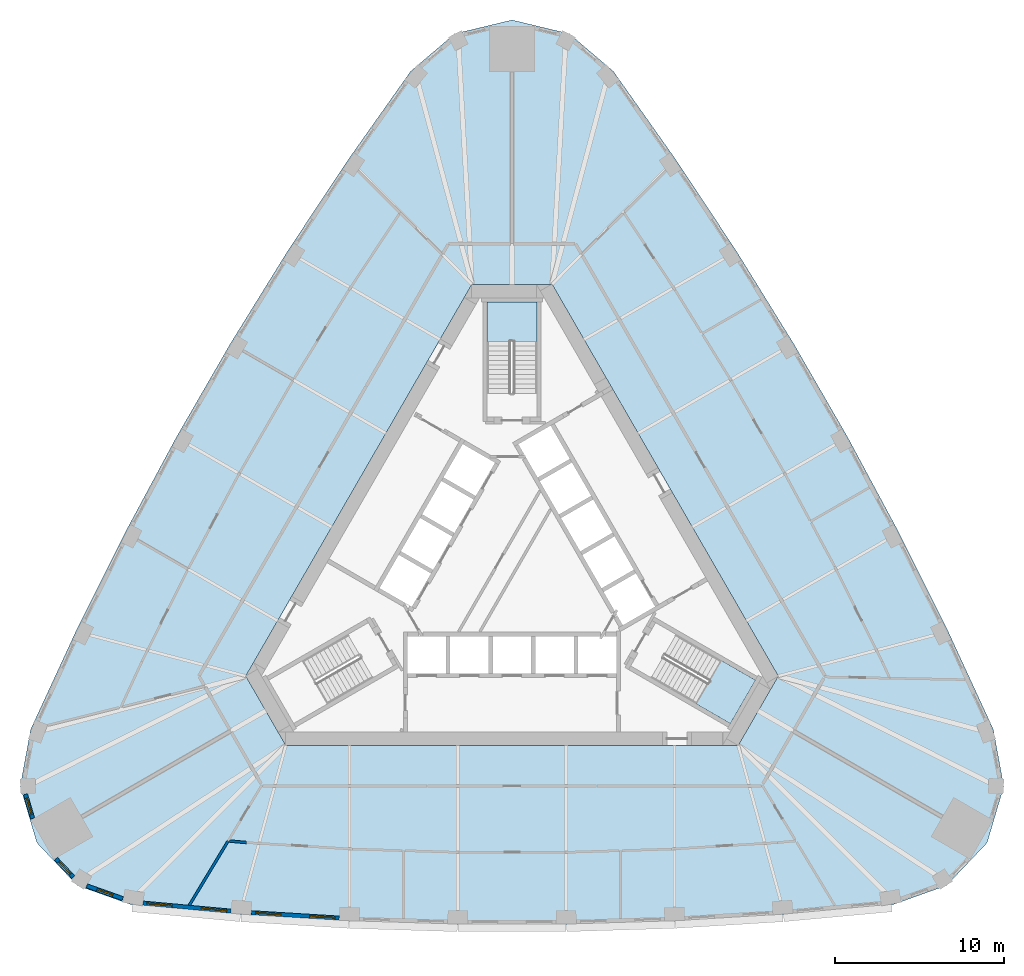
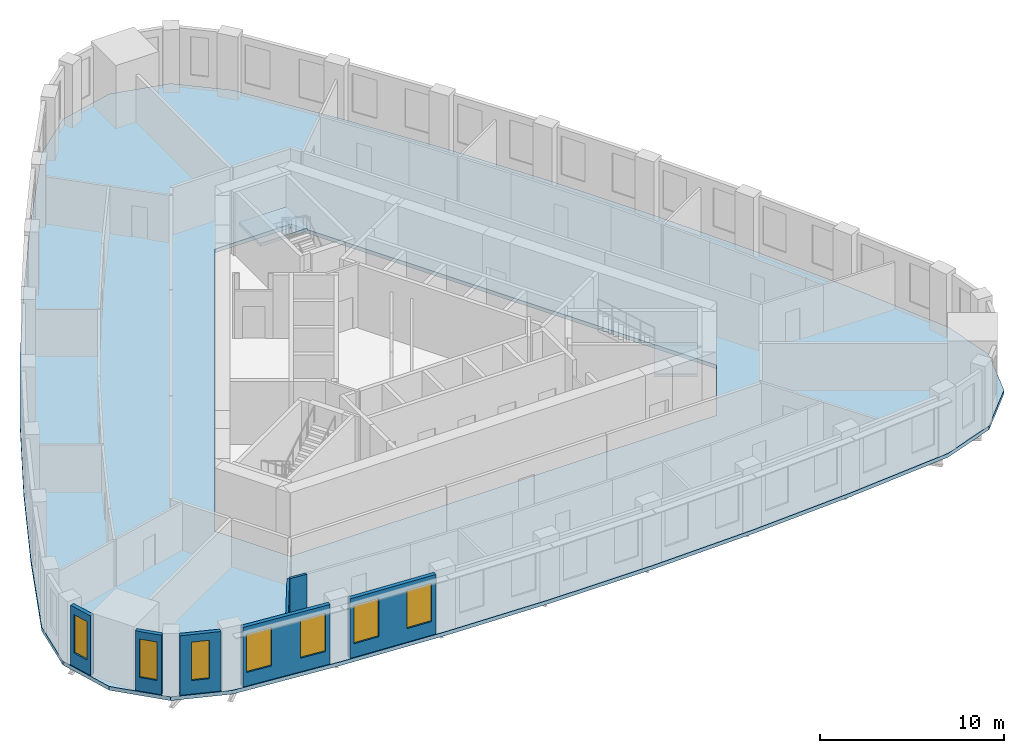
# One storey, part 2 of 10: 7 walls, 7 windows, 3 slabs, 7 openings, 2 elements without a shape of their own.
"""IFC4 building model written with IfcOpenShell, lengths in metres."""

from ifc_helpers import new_model, si_unit, direction, frame, frame_2d, origin, place, context, subcontext, project, spatial, polyline, rectangle, outline, extrude, material, layer, layer_set, type_object, element, fill, aggregate, save


model = new_model("IFC4")

# Units and contexts
model_context = context("Model", 3, precision=1e-05, world=origin(), true_north=direction((0.0, 1.0)))
body_context = subcontext(model_context, "Body", "Model", "MODEL_VIEW")
ifc_project = project(units=[si_unit("LENGTHUNIT", "METRE"), si_unit("AREAUNIT", "SQUARE_METRE"), si_unit("VOLUMEUNIT", "CUBIC_METRE"), si_unit("PLANEANGLEUNIT", "RADIAN"), si_unit("MASSUNIT", "GRAM", prefix="KILO")], contexts=[model_context])

# Site, building, storey
site_placement = place(None, origin())
site = spatial("IfcSite", under=ifc_project, at=site_placement, CompositionType="ELEMENT")
building_placement = place(site_placement, origin())
building = spatial("IfcBuilding", under=site, at=building_placement, Name="Mestral Congress Tower", CompositionType="ELEMENT")
storey_placement = place(building_placement, frame((0.0, 0.0, 141.60009765625)))
storey = spatial("IfcBuildingStorey", under=building, at=storey_placement, Name="L33", CompositionType="ELEMENT", Elevation=141.60009765625)

# Slab
ifc_material_1 = material(Name="Concrete C35/45", Category="concrete")
ifc_layer_1 = layer(ifc_material_1, 0.25)
ifc_layer_set_1 = layer_set([ifc_layer_1], Name="Concrete C35/45")
slab_type_1 = type_object("IfcSlabType", Name="Composite floor slab 250", PredefinedType="FLOOR", material=ifc_layer_set_1)
slab_1_placement = place(storey_placement, frame((0.0, 0.0, -0.25)))
element("IfcSlab", 1, at=slab_1_placement, inside=storey, type_object=slab_type_1, Name="SL-L33", PredefinedType="FLOOR", context=body_context, shape_type="SweptSolid", body=[
    extrude(outline(polyline([(-22.455078125, -19.880126953125), (-25.68212890625, -18.731689453125), (-28.073974609375, -16.20849609375), (-29.06298828125, -12.87548828125), (-28.444091796875, -9.506591796875), (-25.73779296875, -3.63720703125), (-22.8759765625, 2.1025390625), (-19.84033203125, 7.751953125), (-16.633544921875, 13.30615234375), (-13.2587890625, 18.760009765625), (-9.71923828125, 24.1083984375), (-5.9892578125, 29.38671875), (-3.381103515625, 31.607177734375), (0.0, 32.4169921875), (3.381103515625, 31.607177734375), (5.9892578125, 29.38671875), (9.71923828125, 24.1083984375), (13.2587890625, 18.760009765625), (16.633544921875, 13.30615234375), (19.84033203125, 7.751953125), (22.8759765625, 2.1025390625), (25.73779296875, -3.63720703125), (28.444091796875, -9.506591796875), (29.06298828125, -12.87548828125), (28.073974609375, -16.20849609375), (25.68212890625, -18.731689453125), (22.455078125, -19.880126953125), (16.018798828125, -20.47119140625), (9.6171875, -20.862548828125), (3.206787109375, -21.05810546875), (-3.206787109375, -21.05810546875), (-9.6171875, -20.862548828125), (-16.018798828125, -20.47119140625), (-22.455078125, -19.880126953125)]), holes=[polyline([(-2.3671875, 16.800048828125), (-15.73291015625, -6.35009765625), (-13.36572265625, -10.449951171875), (13.36572265625, -10.449951171875), (15.73291015625, -6.35009765625), (2.3671875, 16.800048828125), (-2.3671875, 16.800048828125)])]), origin(), (0.0, 0.0, 1.0), 0.25),
])

# Stair, slab
ifc_material_2 = material(Name="Concrete C60/75", Category="concrete")
stair_type = type_object("IfcStairType", Name="Exit stair 1400", PredefinedType="HALF_TURN_STAIR", material=ifc_material_2)
placement_1 = place(storey_placement, origin())
stair_1 = element("IfcStair", 2, at=placement_1, inside=storey, type_object=stair_type, Name="L33 ST1", PredefinedType="HALF_TURN_STAIR")
ifc_layer_2 = layer(ifc_material_2, 0.199951171875)
ifc_layer_set_2 = layer_set([ifc_layer_2], Name="Concrete C60/75")
slab_type_2 = type_object("IfcSlabType", Name="Exit stair landing 200", PredefinedType="LANDING", material=ifc_layer_set_2)
placement_2 = place(storey_placement, frame((0.0, 0.0, 1.89990234375)))
slab_2 = element("IfcSlab", 3, at=placement_2, type_object=slab_type_2, Name="ST1 landing 1", PredefinedType="LANDING", context=body_context, shape_type="SweptSolid", body=[
    extrude(outline(polyline([(10.879638671875, -7.99609375), (12.364501953125, -5.424072265625), (14.39111328125, -6.593994140625), (12.906005859375, -9.166015625), (10.879638671875, -7.99609375)])), origin(), (0.0, 0.0, 1.0), 0.199951171875),
])
aggregate(stair_1, [slab_2])

stair_2 = element("IfcStair", 4, at=placement_1, inside=storey, type_object=stair_type, Name="L33 ST2", PredefinedType="HALF_TURN_STAIR")
slab_3 = element("IfcSlab", 5, at=placement_2, type_object=slab_type_2, Name="ST2 landing 1", PredefinedType="LANDING", context=body_context, shape_type="SweptSolid", body=[
    extrude(outline(polyline([(1.485107421875, 13.419921875), (-1.485107421875, 13.419921875), (-1.485107421875, 15.760009765625), (1.485107421875, 15.760009765625), (1.485107421875, 13.419921875)])), origin(), (0.0, 0.0, 1.0), 0.199951171875),
])
aggregate(stair_2, [slab_3])

# Wall, openings, windows
ifc_material_3 = material(Name="Precast concrete C40/50 with limestone facing", Category="masonry")
ifc_layer_3 = layer(ifc_material_3, 0.239990234375)
ifc_layer_set_3 = layer_set([ifc_layer_3], Name="Precast concrete C40/50 with limestone facing")
wall_type_1 = type_object("IfcWallType", Name="Facade stone wall 240", PredefinedType="SOLIDWALL", material=ifc_layer_set_3)
wall_1_placement = place(storey_placement, frame((-21.797119140625, -19.769775390625, 0.0), z_axis=(0.0, 0.0, 1.0), x_axis=(0.995808712151, -0.091460422067, 0.0)))
wall_1 = element("IfcWall", 6, at=wall_1_placement, inside=storey, type_object=wall_type_1, Name="Facade wall F0-00", PredefinedType="SOLIDWALL", context=body_context, shape_type="SweptSolid", body=[
    extrude(rectangle(XDim=5.213134765625, YDim=0.239990234375, at=frame_2d((2.6064453125, 0.0))), origin(), (0.0, 0.0, 1.0), 3.949951171875),
])
opening_1_placement = place(wall_1_placement, frame((0.220947265625, 0.0, 0.89990234375)))
opening_1 = element("IfcOpeningElement", 7, at=opening_1_placement, cuts=wall_1, Name="Opening W4", PredefinedType="OPENING", context=body_context, shape_type="SweptSolid", body=[
    extrude(rectangle(XDim=1.5, YDim=2.550048828125, at=frame_2d((0.75, 1.27490234375))), frame((0.0, 0.1298828125, 0.0), z_axis=(0.0, -1.0, 0.0), x_axis=(1.0, 0.0, 0.0)), (0.0, 0.0, 1.0), 0.260009765625),
])
opening_2_placement = place(wall_1_placement, frame((3.452392578125, 0.0, 0.89990234375)))
opening_2 = element("IfcOpeningElement", 8, at=opening_2_placement, cuts=wall_1, Name="Opening W4", PredefinedType="OPENING", context=body_context, shape_type="SweptSolid", body=[
    extrude(rectangle(XDim=1.5, YDim=2.550048828125, at=frame_2d((0.75, 1.27490234375))), frame((0.0, 0.1298828125, 0.0), z_axis=(0.0, -1.0, 0.0), x_axis=(1.0, 0.0, 0.0)), (0.0, 0.0, 1.0), 0.260009765625),
])
ifc_material_4 = material(Name="Clear low-emissivity double glazing", Category="glass")
window_type_1 = type_object("IfcWindowType", Name="Facade punched window 1500 x 2550 sill 900", PartitioningType="SINGLE_PANEL", PredefinedType="WINDOW", material=ifc_material_4)
window_1_placement = place(opening_1_placement, origin())
window_1 = element("IfcWindow", 9, at=window_1_placement, inside=storey, type_object=window_type_1, Name="Window F0-00a", OverallHeight=2.550048828125, OverallWidth=1.5, PartitioningType="SINGLE_PANEL", PredefinedType="WINDOW", context=body_context, shape_type="SweptSolid", body=[
    extrude(rectangle(XDim=1.5, YDim=2.550048828125, at=frame_2d((0.75, 1.27490234375))), frame((0.0, 0.0400390625, 0.0), z_axis=(0.0, -1.0, 0.0), x_axis=(1.0, 0.0, 0.0)), (0.0, 0.0, 1.0), 0.06005859375),
])
fill(opening_1, window_1)
window_2_placement = place(opening_2_placement, origin())
window_2 = element("IfcWindow", 10, at=window_2_placement, inside=storey, type_object=window_type_1, Name="Window F0-00b", OverallHeight=2.550048828125, OverallWidth=1.5, PartitioningType="SINGLE_PANEL", PredefinedType="WINDOW", context=body_context, shape_type="SweptSolid", body=[
    extrude(rectangle(XDim=1.5, YDim=2.550048828125, at=frame_2d((0.75, 1.27490234375))), frame((0.0, 0.0400390625, 0.0), z_axis=(0.0, -1.0, 0.0), x_axis=(1.0, 0.0, 0.0)), (0.0, 0.0, 1.0), 0.06005859375),
])
fill(opening_2, window_2)

wall_2_placement = place(storey_placement, frame((-15.404541015625, -20.33837890625, 0.0), z_axis=(0.0, 0.0, 1.0), x_axis=(0.998135294646, -0.061040425794, 0.0)))
wall_2 = element("IfcWall", 11, at=wall_2_placement, inside=storey, type_object=wall_type_1, Name="Facade wall F0-01", PredefinedType="SOLIDWALL", context=body_context, shape_type="SweptSolid", body=[
    extrude(rectangle(XDim=5.20361328125, YDim=0.239990234375, at=frame_2d((2.601806640625, 0.0))), origin(), (0.0, 0.0, 1.0), 3.949951171875),
])
opening_3_placement = place(wall_2_placement, frame((0.248291015625, 0.0, 0.89990234375)))
opening_3 = element("IfcOpeningElement", 12, at=opening_3_placement, cuts=wall_2, Name="Opening W4", PredefinedType="OPENING", context=body_context, shape_type="SweptSolid", body=[
    extrude(rectangle(XDim=1.5, YDim=2.550048828125, at=frame_2d((0.75, 1.27490234375))), frame((0.0, 0.1298828125, 0.0), z_axis=(0.0, -1.0, 0.0), x_axis=(1.0, 0.0, 0.0)), (0.0, 0.0, 1.0), 0.260009765625),
])
opening_4_placement = place(wall_2_placement, frame((3.455078125, 0.0, 0.89990234375)))
opening_4 = element("IfcOpeningElement", 13, at=opening_4_placement, cuts=wall_2, Name="Opening W4", PredefinedType="OPENING", context=body_context, shape_type="SweptSolid", body=[
    extrude(rectangle(XDim=1.5, YDim=2.550048828125, at=frame_2d((0.75, 1.27490234375))), frame((0.0, 0.1298828125, 0.0), z_axis=(0.0, -1.0, 0.0), x_axis=(1.0, 0.0, 0.0)), (0.0, 0.0, 1.0), 0.260009765625),
])
window_3_placement = place(opening_3_placement, origin())
window_3 = element("IfcWindow", 14, at=window_3_placement, inside=storey, type_object=window_type_1, Name="Window F0-01a", OverallHeight=2.550048828125, OverallWidth=1.5, PartitioningType="SINGLE_PANEL", PredefinedType="WINDOW", context=body_context, shape_type="SweptSolid", body=[
    extrude(rectangle(XDim=1.5, YDim=2.550048828125, at=frame_2d((0.75, 1.27490234375))), frame((0.0, 0.0400390625, 0.0), z_axis=(0.0, -1.0, 0.0), x_axis=(1.0, 0.0, 0.0)), (0.0, 0.0, 1.0), 0.06005859375),
])
fill(opening_3, window_3)
window_4_placement = place(opening_4_placement, origin())
window_4 = element("IfcWindow", 15, at=window_4_placement, inside=storey, type_object=window_type_1, Name="Window F0-01b", OverallHeight=2.550048828125, OverallWidth=1.5, PartitioningType="SINGLE_PANEL", PredefinedType="WINDOW", context=body_context, shape_type="SweptSolid", body=[
    extrude(rectangle(XDim=1.5, YDim=2.550048828125, at=frame_2d((0.75, 1.27490234375))), frame((0.0, 0.0400390625, 0.0), z_axis=(0.0, -1.0, 0.0), x_axis=(1.0, 0.0, 0.0)), (0.0, 0.0, 1.0), 0.06005859375),
])
fill(opening_4, window_4)

# Wall, opening, window
wall_3_placement = place(storey_placement, frame((-28.747802734375, -13.340087890625, 0.0), z_axis=(0.0, 0.0, 1.0), x_axis=(0.284413721403, -0.958701640281, 0.0)))
wall_3 = element("IfcWall", 16, at=wall_3_placement, inside=storey, type_object=wall_type_1, Name="Facade wall K2-1", PredefinedType="SOLIDWALL", context=body_context, shape_type="SweptSolid", body=[
    extrude(rectangle(XDim=1.481689453125, YDim=0.239990234375, at=frame_2d((0.74072265625, 0.0))), origin(), (0.0, 0.0, 1.0), 3.949951171875),
])
opening_5_placement = place(wall_3_placement, frame((0.24072265625, 0.0, 0.89990234375)))
opening_5 = element("IfcOpeningElement", 17, at=opening_5_placement, cuts=wall_3, Name="Opening W5", PredefinedType="OPENING", context=body_context, shape_type="SweptSolid", body=[
    extrude(rectangle(XDim=1.0, YDim=2.550048828125, at=frame_2d((0.5, 1.27490234375))), frame((0.0, 0.1298828125, 0.0), z_axis=(0.0, -1.0, 0.0), x_axis=(1.0, 0.0, 0.0)), (0.0, 0.0, 1.0), 0.260009765625),
])
window_type_2 = type_object("IfcWindowType", Name="Facade punched window 1000 x 2550 sill 900", PartitioningType="SINGLE_PANEL", PredefinedType="WINDOW", material=ifc_material_4)
window_5_placement = place(opening_5_placement, origin())
window_5 = element("IfcWindow", 18, at=window_5_placement, inside=storey, type_object=window_type_2, Name="Window K2-1", OverallHeight=2.550048828125, OverallWidth=1.0, PartitioningType="SINGLE_PANEL", PredefinedType="WINDOW", context=body_context, shape_type="SweptSolid", body=[
    extrude(rectangle(XDim=1.0, YDim=2.550048828125, at=frame_2d((0.5, 1.27490234375))), frame((0.0, 0.0400390625, 0.0), z_axis=(0.0, -1.0, 0.0), x_axis=(1.0, 0.0, 0.0)), (0.0, 0.0, 1.0), 0.06005859375),
])
fill(opening_5, window_5)

wall_4_placement = place(storey_placement, frame((-26.946044921875, -17.151123046875, 0.0), z_axis=(0.0, 0.0, 1.0), x_axis=(0.687986858937, -0.725723144133, 0.0)))
wall_4 = element("IfcWall", 19, at=wall_4_placement, inside=storey, type_object=wall_type_1, Name="Facade wall K2-2", PredefinedType="SOLIDWALL", context=body_context, shape_type="SweptSolid", body=[
    extrude(rectangle(XDim=1.4814453125, YDim=0.239990234375, at=frame_2d((0.74072265625, 0.0))), origin(), (0.0, 0.0, 1.0), 3.949951171875),
])
opening_6_placement = place(wall_4_placement, frame((0.24072265625, 0.0, 0.89990234375)))
opening_6 = element("IfcOpeningElement", 20, at=opening_6_placement, cuts=wall_4, Name="Opening W5", PredefinedType="OPENING", context=body_context, shape_type="SweptSolid", body=[
    extrude(rectangle(XDim=1.0, YDim=2.550048828125, at=frame_2d((0.5, 1.27490234375))), frame((0.0, 0.1298828125, 0.0), z_axis=(0.0, -1.0, 0.0), x_axis=(1.0, 0.0, 0.0)), (0.0, 0.0, 1.0), 0.260009765625),
])
window_6_placement = place(opening_6_placement, origin())
window_6 = element("IfcWindow", 21, at=window_6_placement, inside=storey, type_object=window_type_2, Name="Window K2-2", OverallHeight=2.550048828125, OverallWidth=1.0, PartitioningType="SINGLE_PANEL", PredefinedType="WINDOW", context=body_context, shape_type="SweptSolid", body=[
    extrude(rectangle(XDim=1.0, YDim=2.550048828125, at=frame_2d((0.5, 1.27490234375))), frame((0.0, 0.0400390625, 0.0), z_axis=(0.0, -1.0, 0.0), x_axis=(1.0, 0.0, 0.0)), (0.0, 0.0, 1.0), 0.06005859375),
])
fill(opening_6, window_6)

wall_5_placement = place(storey_placement, frame((-25.12109375, -18.750732421875, 0.0), z_axis=(0.0, 0.0, 1.0), x_axis=(0.942099727267, -0.335332825539, 0.0)))
wall_5 = element("IfcWall", 22, at=wall_5_placement, inside=storey, type_object=wall_type_1, Name="Facade wall K2-3", PredefinedType="SOLIDWALL", context=body_context, shape_type="SweptSolid", body=[
    extrude(rectangle(XDim=2.25048828125, YDim=0.239990234375, at=frame_2d((1.125244140625, 0.0))), origin(), (0.0, 0.0, 1.0), 3.949951171875),
])
opening_7_placement = place(wall_5_placement, frame((0.625244140625, 0.0, 0.89990234375)))
opening_7 = element("IfcOpeningElement", 23, at=opening_7_placement, cuts=wall_5, Name="Opening W5", PredefinedType="OPENING", context=body_context, shape_type="SweptSolid", body=[
    extrude(rectangle(XDim=1.0, YDim=2.550048828125, at=frame_2d((0.5, 1.27490234375))), frame((0.0, 0.1298828125, 0.0), z_axis=(0.0, -1.0, 0.0), x_axis=(1.0, 0.0, 0.0)), (0.0, 0.0, 1.0), 0.260009765625),
])
window_7_placement = place(opening_7_placement, origin())
window_7 = element("IfcWindow", 24, at=window_7_placement, inside=storey, type_object=window_type_2, Name="Window K2-3", OverallHeight=2.550048828125, OverallWidth=1.0, PartitioningType="SINGLE_PANEL", PredefinedType="WINDOW", context=body_context, shape_type="SweptSolid", body=[
    extrude(rectangle(XDim=1.0, YDim=2.550048828125, at=frame_2d((0.5, 1.27490234375))), frame((0.0, 0.0400390625, 0.0), z_axis=(0.0, -1.0, 0.0), x_axis=(1.0, 0.0, 0.0)), (0.0, 0.0, 1.0), 0.06005859375),
])
fill(opening_7, window_7)

# Walls
ifc_material_5 = material(Name="Plasterboard partition on steel studs", Category="steel")
ifc_layer_4 = layer(ifc_material_5, 0.14990234375)
ifc_layer_set_4 = layer_set([ifc_layer_4], Name="Plasterboard partition on steel studs")
wall_type_2 = type_object("IfcWallType", Name="Office partition 150", PredefinedType="PARTITIONING", material=ifc_layer_set_4)
wall_6_placement = place(storey_placement, frame((-16.7705078125, -16.090087890625, 0.0), z_axis=(0.0, 0.0, 1.0), x_axis=(-0.516817512045, -0.856095590015, 0.0)))
element("IfcWall", 25, at=wall_6_placement, inside=storey, type_object=wall_type_2, Name="Partition", PredefinedType="PARTITIONING", context=body_context, shape_type="SweptSolid", body=[
    extrude(rectangle(XDim=4.449951171875, YDim=0.14990234375, at=frame_2d((2.22509765625, 0.0))), origin(), (0.0, 0.0, 1.0), 3.14990234375),
])
wall_7_placement = place(storey_placement, frame((-16.689697265625, -16.1015625, 0.0), z_axis=(0.0, 0.0, 1.0), x_axis=(0.995818997537, -0.091348366946, 0.0)))
element("IfcWall", 26, at=wall_7_placement, inside=storey, type_object=wall_type_2, Name="Partition", PredefinedType="PARTITIONING", context=body_context, shape_type="SweptSolid", body=[
    extrude(rectangle(XDim=1.002197265625, YDim=0.14990234375, at=frame_2d((0.5009765625, 0.0))), origin(), (0.0, 0.0, 1.0), 3.14990234375),
])

save(model, "model.ifc")
